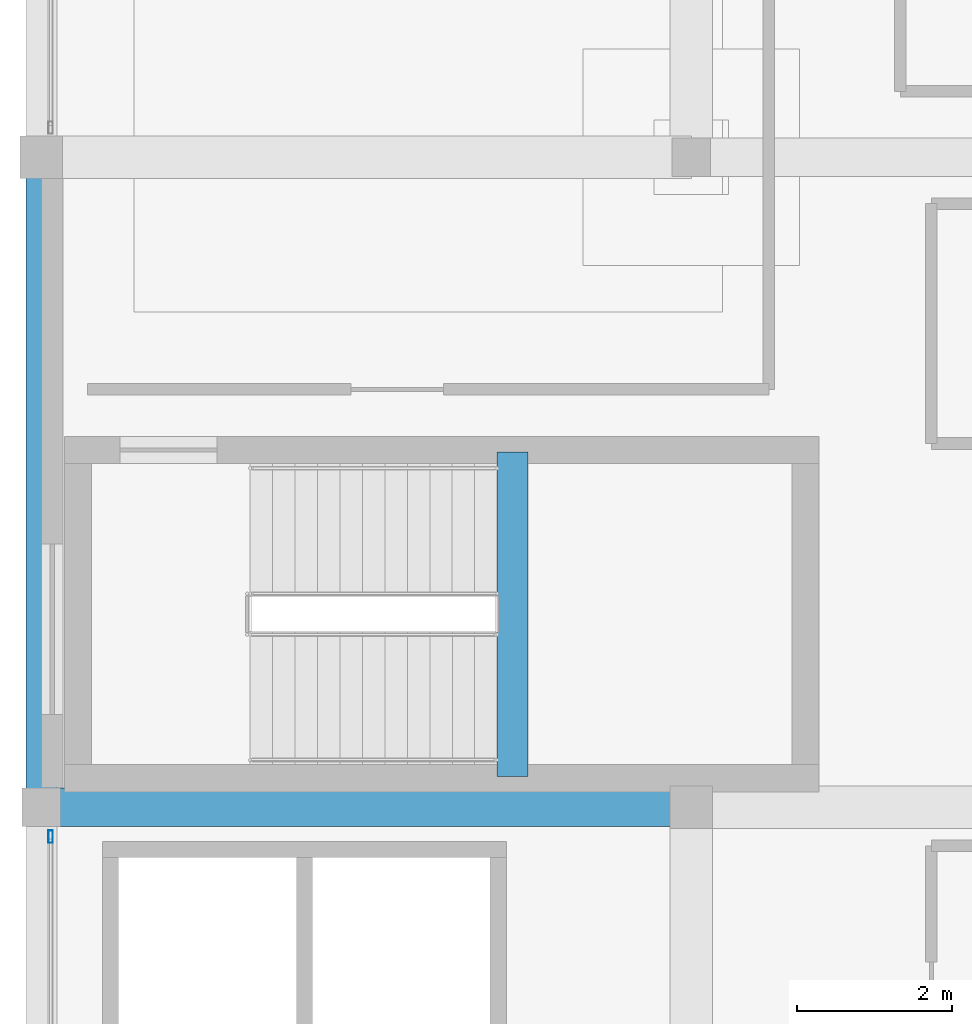
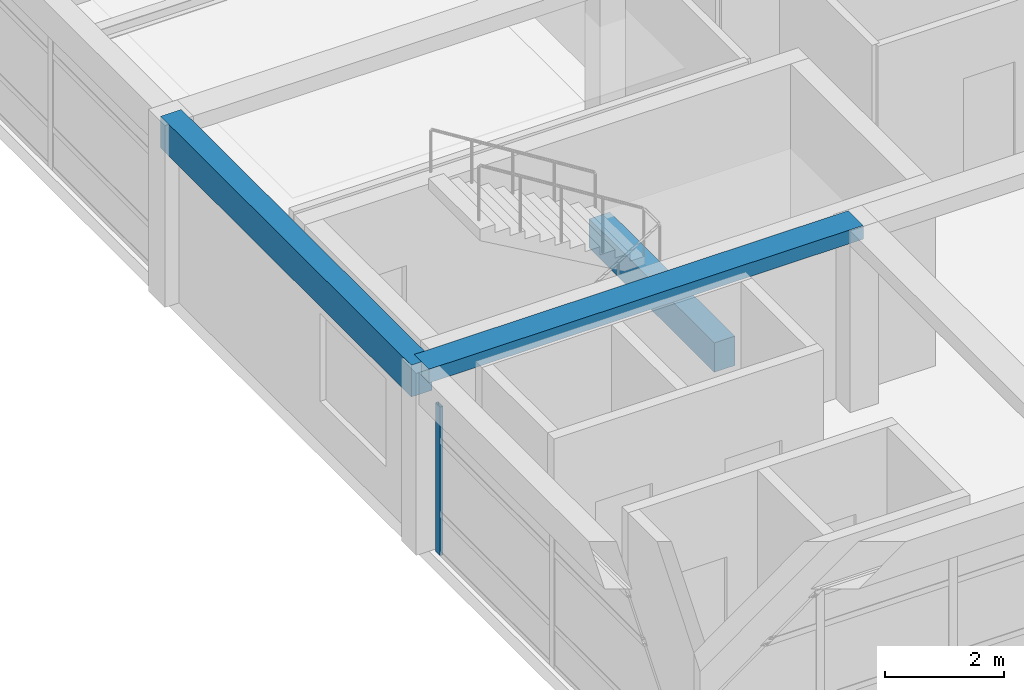
# One storey, part 4 of 22: 3 beams, 1 member, 1 element without a shape of its own.
"""IFC4 building model written with IfcOpenShell, lengths in metres."""

from ifc_helpers import new_model, si_unit, direction, frame, origin, origin_2d, place, context, subcontext, project, spatial, rectangle, hollow_rectangle, extrude, material, material_profile, profile_set, type_object, element, aggregate, save


model = new_model("IFC4")

# Units and contexts
model_context = context("Model", 3, precision=1e-05, world=origin(), true_north=direction((0.0, 1.0)))
body_context = subcontext(model_context, "Body", "Model", "MODEL_VIEW")
ifc_project = project(units=[si_unit("LENGTHUNIT", "METRE"), si_unit("AREAUNIT", "SQUARE_METRE"), si_unit("VOLUMEUNIT", "CUBIC_METRE"), si_unit("PLANEANGLEUNIT", "RADIAN"), si_unit("MASSUNIT", "GRAM", prefix="KILO")], contexts=[model_context])

# Site, building, storey
site_placement = place(None, origin())
site = spatial("IfcSite", under=ifc_project, at=site_placement, CompositionType="ELEMENT")
building_placement = place(site_placement, origin())
building = spatial("IfcBuilding", under=site, at=building_placement, Name="Almacenes y Pasaje Nevantli", CompositionType="ELEMENT")
storey_placement = place(building_placement, frame((0.0, 0.0, 58.699951171875)))
storey = spatial("IfcBuildingStorey", under=building, at=storey_placement, Name="L14", CompositionType="ELEMENT", Elevation=58.699951171875)

# Beams
ifc_material_1 = material(Name="Concrete C35/45", Category="concrete")
ifc_material_profile_1 = material_profile(ifc_material_1, rectangle(XDim=0.39990234375, YDim=0.60009765625, at=origin_2d()), Name="RC-BM-400x600")
ifc_profile_set_1 = profile_set([ifc_material_profile_1], Name="Concrete C35/45")
beam_type_1 = type_object("IfcBeamType", Name="BM-RC-400x600", PredefinedType="SPANDREL", material=ifc_profile_set_1)
beam_1_placement = place(storey_placement, frame((123.68994140625, 76.0, 1.5), z_axis=(0.0, 1.0, 0.0), x_axis=(-1.0, 0.0, 0.0)))
element("IfcBeam", 1, at=beam_1_placement, inside=storey, type_object=beam_type_1, Name="L14 Stair ST-01 Half-Landing Support Beam", PredefinedType="SPANDREL", context=body_context, shape_type="SweptSolid", body=[
    extrude(rectangle(XDim=0.39990234375, YDim=0.60009765625, at=origin_2d()), origin(), (0.0, 0.0, 1.0), 4.18994140625),
])
ifc_material_2 = material(Name="Concrete C35/45", Category="concrete")
ifc_material_profile_2 = material_profile(ifc_material_2, rectangle(XDim=0.39990234375, YDim=0.64990234375, at=origin_2d()), Name="RC-BM-400x650")
ifc_profile_set_2 = profile_set([ifc_material_profile_2], Name="Concrete C35/45")
beam_type_2 = type_object("IfcBeamType", Name="BM-RC-400x650", PredefinedType="SPANDREL", material=ifc_profile_set_2)
beam_2_placement = place(storey_placement, frame((117.60009765625, 75.60009765625, 3.39501953125), z_axis=(0.0, 1.0, 0.0), x_axis=(-1.0, 0.0, 0.0)))
element("IfcBeam", 2, at=beam_2_placement, inside=storey, type_object=beam_type_2, Name="L14 North-South Reinforced Concrete Beam #4002", PredefinedType="SPANDREL", context=body_context, shape_type="SweptSolid", body=[
    extrude(rectangle(XDim=0.39990234375, YDim=0.64990234375, at=origin_2d()), origin(), (0.0, 0.0, 1.0), 8.39990234375),
])
ifc_material_3 = material(Name="Concrete C35/45", Category="concrete")
ifc_material_profile_3 = material_profile(ifc_material_3, rectangle(XDim=0.5, YDim=0.280029296875, at=origin_2d()), Name="RC-BM-500x280")
ifc_profile_set_3 = profile_set([ifc_material_profile_3], Name="Concrete C35/45")
beam_type_3 = type_object("IfcBeamType", Name="BM-RC-500x280", PredefinedType="BEAM", material=ifc_profile_set_3)
beam_3_placement = place(storey_placement, frame((117.60009765625, 75.60009765625, 3.580078125), z_axis=(1.0, 0.0, 0.0), x_axis=(0.0, 1.0, 0.0)))
element("IfcBeam", 3, at=beam_3_placement, inside=storey, type_object=beam_type_3, Name="L14 East-West Reinforced Concrete Beam #3989", PredefinedType="BEAM", context=body_context, shape_type="SweptSolid", body=[
    extrude(rectangle(XDim=0.5, YDim=0.280029296875, at=origin_2d()), origin(), (0.0, 0.0, 1.0), 8.39990234375),
])

# Curtain wall, member
ifc_material_4 = material(Name="Thermally Broken Aluminium and Low-E Glass", Category="aluminium")
curtain_wall_type = type_object("IfcCurtainWallType", Name="CW-UNIT-TOWER", PredefinedType="USERDEFINED", material=ifc_material_4)
curtain_wall_placement = place(storey_placement, origin())
curtain_wall = element("IfcCurtainWall", 4, at=curtain_wall_placement, inside=storey, type_object=curtain_wall_type, Name="L14 Tower West Curtain Wall Bay 9", ObjectType="UNITIZED CURTAIN WALL", PredefinedType="USERDEFINED")
ifc_material_5 = material(Name="Thermally Broken Anodized Aluminium", Category="aluminium")
ifc_material_profile_4 = material_profile(ifc_material_5, hollow_rectangle(XDim=0.06005859375, YDim=0.159912109375, WallThickness=0.00390625, at=origin_2d()), Name="ALU-MUL-60x160")
ifc_profile_set_4 = profile_set([ifc_material_profile_4], Name="Thermally Broken Anodized Aluminium")
member_type = type_object("IfcMemberType", Name="CW-MUL-180", PredefinedType="MULLION", material=ifc_profile_set_4)
member_placement = place(storey_placement, frame((117.719970703125, 75.219970703125, 0.0), z_axis=(0.0, 0.0, 1.0), x_axis=(-1.0, 0.0, 0.0)))
member = element("IfcMember", 5, at=member_placement, type_object=member_type, Name="CW-L14-181 mullion 3", PredefinedType="MULLION", context=body_context, shape_type="SweptSolid", body=[
    extrude(hollow_rectangle(XDim=0.06005859375, YDim=0.159912109375, WallThickness=0.00390625, at=origin_2d()), origin(), (0.0, 0.0, 1.0), 3.0400390625),
])
aggregate(curtain_wall, [member])

save(model, "model.ifc")
